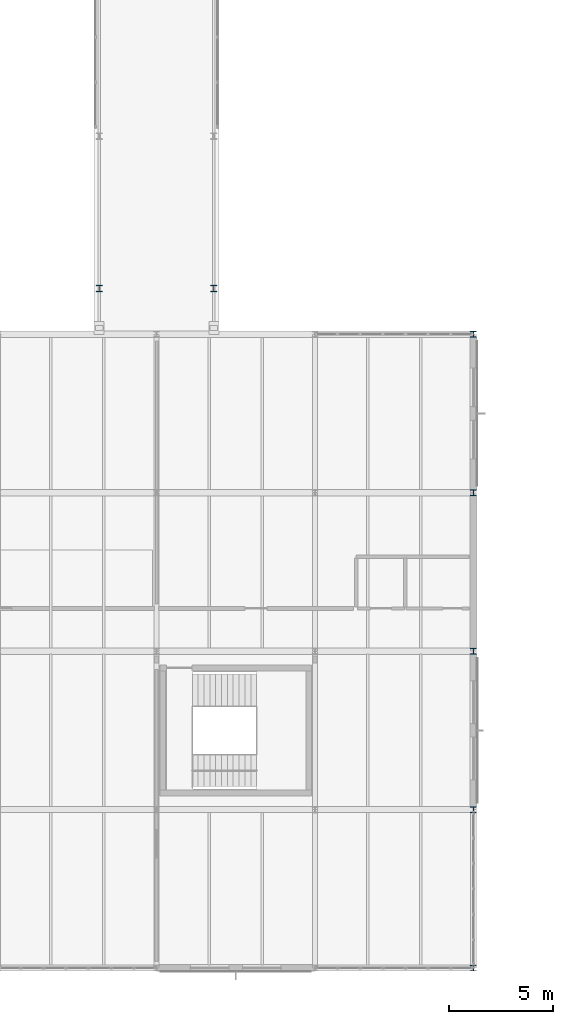
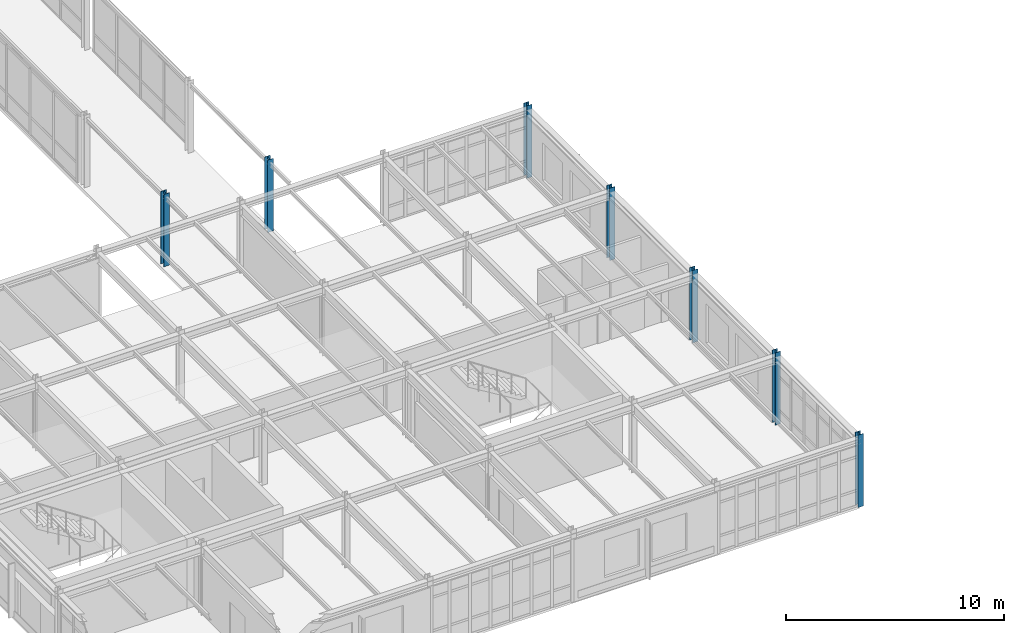
# One storey, part 3 of 165: 7 columns.
"""IFC4 building model written with IfcOpenShell, lengths in metres."""

import ifcopenshell
import ifcopenshell.guid

model = None  # the IFC model being written
_history = None  # IfcOwnerHistory: only IFC2X3 demands one
_inside = {}  # id of a spatial element -> (the spatial element, [elements in it])
_under = {}  # id of a project, library or spatial element -> (it, [spatial elements below it])
_declared = {}  # id of a project -> (the project, [libraries it declares])
_typed = {}  # id of a type object -> (the type object, [elements of that type])
_made_of = {}  # id of a material, layer set ... -> (it, [elements and type objects made of it])


def new_model(schema):
    """Start an empty IFC model of exactly this schema.

    Asked for "IFC4X3", IfcOpenShell would pick the latest addendum, in which some entities
    have other attributes; the version numbers below select the first issue.
    IFC2X3 requires an IfcOwnerHistory on every rooted entity: one is made here for all.
    """
    global model, _history
    if schema == "IFC4X3":
        model = ifcopenshell.file(schema_version=(4, 3, 0, 0))
    else:
        model = ifcopenshell.file(schema=schema)
    _inside.clear()
    _under.clear()
    _declared.clear()
    _typed.clear()
    _made_of.clear()
    _history = None
    if model.schema == "IFC2X3":
        org = make("IfcOrganization", Name="unknown")
        user = make(
            "IfcPersonAndOrganization",
            ThePerson=make("IfcPerson", FamilyName="unknown"),
            TheOrganization=org,
        )
        app = make(
            "IfcApplication",
            ApplicationDeveloper=org,
            Version="unknown",
            ApplicationFullName="unknown",
            ApplicationIdentifier="unknown",
        )
        _history = make(
            "IfcOwnerHistory",
            OwningUser=user,
            OwningApplication=app,
            ChangeAction="ADDED",
            CreationDate=0,
        )
    return model


def make(cls, **values):
    """One entity of the class cls with the attributes given. An attribute that is None is left unset."""
    return model.create_entity(
        cls, **{name: value for name, value in values.items() if value is not None}
    )


def rooted(cls, **values):
    """An entity with a GlobalId (a new one), such as an element, a storey or a relation."""
    return make(cls, GlobalId=ifcopenshell.guid.new(), OwnerHistory=_history, **values)


def si_unit(unit_type, name, prefix=None):
    """IfcSIUnit, for example si_unit("LENGTHUNIT", "METRE", prefix="MILLI")."""
    return make("IfcSIUnit", UnitType=unit_type, Prefix=prefix, Name=name)


def assignment(units):
    """IfcUnitAssignment: the units of a project."""
    return None if units is None else make("IfcUnitAssignment", Units=units)


def point(xyz):
    """IfcCartesianPoint."""
    return None if xyz is None else make("IfcCartesianPoint", Coordinates=xyz)


def direction(xyz):
    """IfcDirection."""
    return None if xyz is None else make("IfcDirection", DirectionRatios=xyz)


def frame(location, z_axis=None, x_axis=None):
    """IfcAxis2Placement3D, a coordinate frame: its origin and axes. An axis left out is left unset."""
    return make(
        "IfcAxis2Placement3D",
        Location=point(location),
        Axis=direction(z_axis),
        RefDirection=direction(x_axis),
    )


def frame_2d(location, x_axis=None):
    """IfcAxis2Placement2D, a coordinate frame in the plane: its origin and x axis."""
    return make(
        "IfcAxis2Placement2D", Location=point(location), RefDirection=direction(x_axis)
    )


def origin():
    """The frame at (0, 0, 0) with its axes left unset."""
    return frame((0.0, 0.0, 0.0))


def origin_2d():
    """The frame at (0, 0) in the plane with its x axis left unset."""
    return frame_2d((0.0, 0.0))


def place(relative_to, where):
    """IfcLocalPlacement: puts the frame where relative to a parent placement (None: the world)."""
    return make(
        "IfcLocalPlacement", PlacementRelTo=relative_to, RelativePlacement=where
    )


def context(
    kind, dimensions, precision=None, world=None, true_north=None, identifier=None
):
    """IfcGeometricRepresentationContext, for example the 3D "Model" context."""
    return make(
        "IfcGeometricRepresentationContext",
        ContextIdentifier=identifier,
        ContextType=kind,
        CoordinateSpaceDimension=dimensions,
        Precision=precision,
        WorldCoordinateSystem=world,
        TrueNorth=true_north,
    )


def subcontext(parent, identifier, kind, view, scale=None):
    """IfcGeometricRepresentationSubContext, for example "Body" below "Model"."""
    return make(
        "IfcGeometricRepresentationSubContext",
        ContextIdentifier=identifier,
        ContextType=kind,
        ParentContext=parent,
        TargetScale=scale,
        TargetView=view,
    )


def project(units=None, contexts=None):
    """IfcProject with its units and contexts."""
    return rooted(
        "IfcProject",
        Name="project",
        RepresentationContexts=contexts,
        UnitsInContext=assignment(units),
    )


def spatial(cls, under=None, at=None, **own):
    """A site, building, storey or space (cls), placed at a placement, below another one or the project."""
    s = rooted(cls, ObjectPlacement=at, **own)
    if under is not None:
        _under.setdefault(under.id(), (under, []))[1].append(s)
    return s


def profile(cls, at=None, kind="AREA", **sizes):
    """A parametric profile (cls). Its sizes go by their IFC names, for example OverallWidth=200.0."""
    return make(cls, ProfileType=kind, Position=at, **sizes)


def i_section(**sizes):
    """IfcIShapeProfileDef."""
    return profile("IfcIShapeProfileDef", **sizes)


def extrude(swept, where, along, depth):
    """IfcExtrudedAreaSolid: the profile swept, set in the frame where, extruded along a direction by depth."""
    return make(
        "IfcExtrudedAreaSolid",
        SweptArea=swept,
        Position=where,
        ExtrudedDirection=direction(along),
        Depth=depth,
    )


def shape(context_of_items, identifier, shape_type, items):
    """IfcShapeRepresentation: the items that make up one representation, for example the "Body"."""
    return make(
        "IfcShapeRepresentation",
        ContextOfItems=context_of_items,
        RepresentationIdentifier=identifier,
        RepresentationType=shape_type,
        Items=items,
    )


def material(Name=None, Category=None):
    """IfcMaterial."""
    return make("IfcMaterial", Name=Name, Category=Category)


def material_profile(
    of_material, cross_section, Name=None, Category=None, Priority=None
):
    """IfcMaterialProfile: a cross section and its material."""
    return make(
        "IfcMaterialProfile",
        Name=Name,
        Material=of_material,
        Profile=cross_section,
        Priority=Priority,
        Category=Category,
    )


def profile_set(profiles, Name=None, composite=None):
    """IfcMaterialProfileSet."""
    return make(
        "IfcMaterialProfileSet",
        Name=Name,
        MaterialProfiles=profiles,
        CompositeProfile=composite,
    )


def made_of(thing, what):
    """Note that an element or type object is made of a material, layer set ...; save() writes the relation."""
    if what is not None:
        _made_of.setdefault(what.id(), (what, []))[1].append(thing)
    return thing


def type_object(cls, material=None, **own):
    """A type object (cls), such as IfcWallType, which elements share."""
    return made_of(rooted(cls, **own), material)


def element(
    cls,
    number,
    at=None,
    inside=None,
    cuts=None,
    type_object=None,
    material=None,
    context=None,
    identifier="Body",
    shape_type=None,
    held_by="IfcProductDefinitionShape",
    body=None,
    shapes=None,
    **own,
):
    """One element of the class cls, such as IfcWall. Its Tag is "e" and its number.

    at: its placement. inside: the storey or other place that contains it. cuts: it is an
    opening in that element (IfcRelVoidsElement). A single representation is given by context,
    identifier, shape_type and body (its items); several are given by shapes. held_by: the class
    of the entity that holds the representations. save() writes the other relations.
    """
    e = rooted(cls, Tag="e%d" % number, ObjectPlacement=at, **own)
    if body is not None:
        shapes = [shape(context, identifier, shape_type, body)]
    if shapes is not None:
        e.Representation = make(held_by, Representations=shapes)
    if inside is not None:
        _inside.setdefault(inside.id(), (inside, []))[1].append(e)
    if cuts is not None:
        rooted(
            "IfcRelVoidsElement", RelatingBuildingElement=cuts, RelatedOpeningElement=e
        )
    if type_object is not None:
        _typed.setdefault(type_object.id(), (type_object, []))[1].append(e)
    return made_of(e, material)


def aggregate(whole, parts):
    """IfcRelAggregates: a whole, such as a stair, and the parts it consists of."""
    return rooted("IfcRelAggregates", RelatingObject=whole, RelatedObjects=parts)


def save(model, path):
    """Write the relations noted so far, then the file.

    IfcRelAggregates (storeys below a building ...), IfcRelContainedInSpatialStructure (elements
    in a storey), IfcRelDefinesByType, IfcRelAssociatesMaterial and IfcRelDeclares: one each for
    every whole, place, type object, material and project.
    """
    for whole, parts in _under.values():
        aggregate(whole, parts)
    for where, things in _inside.values():
        rooted(
            "IfcRelContainedInSpatialStructure",
            RelatedElements=things,
            RelatingStructure=where,
        )
    for kind, things in _typed.values():
        rooted("IfcRelDefinesByType", RelatedObjects=things, RelatingType=kind)
    for what, things in _made_of.values():
        rooted("IfcRelAssociatesMaterial", RelatedObjects=things, RelatingMaterial=what)
    for by, libraries in _declared.values():
        rooted("IfcRelDeclares", RelatingContext=by, RelatedDefinitions=libraries)
    model.write(path)


model = new_model("IFC4")

# Units and contexts
model_context = context("Model", 3, precision=1e-05, world=origin(), true_north=direction((0.0, 1.0)))
body_context = subcontext(model_context, "Body", "Model", "MODEL_VIEW")
ifc_project = project(units=[si_unit("LENGTHUNIT", "METRE"), si_unit("AREAUNIT", "SQUARE_METRE"), si_unit("VOLUMEUNIT", "CUBIC_METRE"), si_unit("PLANEANGLEUNIT", "RADIAN"), si_unit("MASSUNIT", "GRAM", prefix="KILO")], contexts=[model_context])

# Site, building, storey
site_placement = place(None, origin())
site = spatial("IfcSite", under=ifc_project, at=site_placement, CompositionType="ELEMENT")
building_placement = place(site_placement, origin())
building = spatial("IfcBuilding", under=site, at=building_placement, Name="Montecoro Central Library", CompositionType="ELEMENT")
storey_placement = place(building_placement, frame((0.0, 0.0, 5.10009765625)))
storey = spatial("IfcBuildingStorey", under=building, at=storey_placement, Name="L01", CompositionType="ELEMENT", Elevation=5.10009765625)

# Columns
ifc_material = material(Name="Steel S355", Category="steel")
ifc_material_profile_1 = material_profile(ifc_material, i_section(OverallWidth=0.280029296875, OverallDepth=0.280029296875, WebThickness=0.010498046875, FlangeThickness=0.01806640625, at=origin_2d()), Name="HEB 280")
ifc_profile_set_1 = profile_set([ifc_material_profile_1], Name="Steel S355")
column_type_1 = type_object("IfcColumnType", Name="COL-HEB280", PredefinedType="COLUMN", material=ifc_profile_set_1)
for number, where, z_axis, x_axis, name in (
    (1, (43.0, 5.0, 0.0), (0.0, 0.0, 1.0), (1.0, 0.0, 0.0), "V3-L01-COL-6-A"),
    (2, (43.0, 12.60009765625, 0.0), (0.0, 0.0, 1.0), (1.0, 0.0, 0.0), "V3-L01-COL-6-B"),
    (3, (43.0, 20.199951171875, 0.0), (0.0, 0.0, 1.0), (1.0, 0.0, 0.0), "V3-L01-COL-6-C"),
    (4, (43.0, 27.800048828125, 0.0), (0.0, 0.0, 1.0), (1.0, 0.0, 0.0), "V3-L01-COL-6-D"),
    (5, (43.0, 35.39990234375, 0.0), (0.0, 0.0, 1.0), (1.0, 0.0, 0.0), "V3-L01-COL-6-E"),
):
    element("IfcColumn", number, at=place(storey_placement, frame(where, z_axis=z_axis, x_axis=x_axis)), inside=storey, type_object=column_type_1, Name=name, PredefinedType="COLUMN", context=body_context, shape_type="SweptSolid", body=[
        extrude(i_section(OverallWidth=0.280029296875, OverallDepth=0.280029296875, WebThickness=0.010498046875, FlangeThickness=0.01806640625, at=origin_2d()), origin(), (0.0, 0.0, 1.0), 4.054931640625),
    ])
ifc_material_profile_2 = material_profile(ifc_material, i_section(OverallWidth=0.300048828125, OverallDepth=0.300048828125, WebThickness=0.010986328125, FlangeThickness=0.01904296875, at=origin_2d()), Name="HEB 300")
ifc_profile_set_2 = profile_set([ifc_material_profile_2], Name="Steel S355")
column_type_2 = type_object("IfcColumnType", Name="COL-HEB300", PredefinedType="COLUMN", material=ifc_profile_set_2)
for number, where, z_axis, x_axis, name in (
    (6, (25.050048828125, 37.60009765625, 0.0), (0.0, 0.0, 1.0), (1.0, 0.0, 0.0), "BR-W-L01-COL-250-376"),
    (7, (30.550048828125, 37.60009765625, 0.0), (0.0, 0.0, 1.0), (1.0, 0.0, 0.0), "BR-W-L01-COL-305-376"),
):
    element("IfcColumn", number, at=place(storey_placement, frame(where, z_axis=z_axis, x_axis=x_axis)), inside=storey, type_object=column_type_2, Name=name, PredefinedType="COLUMN", context=body_context, shape_type="SweptSolid", body=[
        extrude(i_section(OverallWidth=0.300048828125, OverallDepth=0.300048828125, WebThickness=0.010986328125, FlangeThickness=0.01904296875, at=origin_2d()), origin(), (0.0, 0.0, 1.0), 4.054931640625),
    ])

save(model, "model.ifc")
